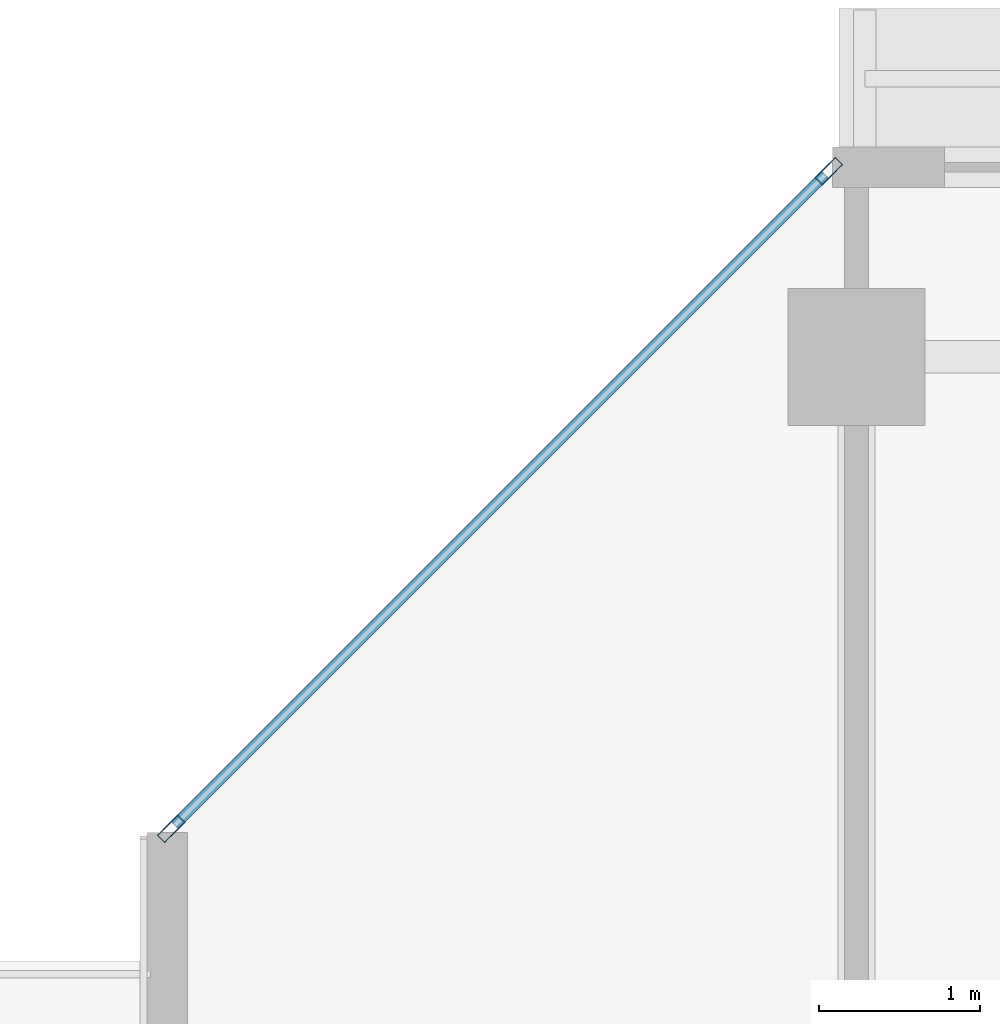
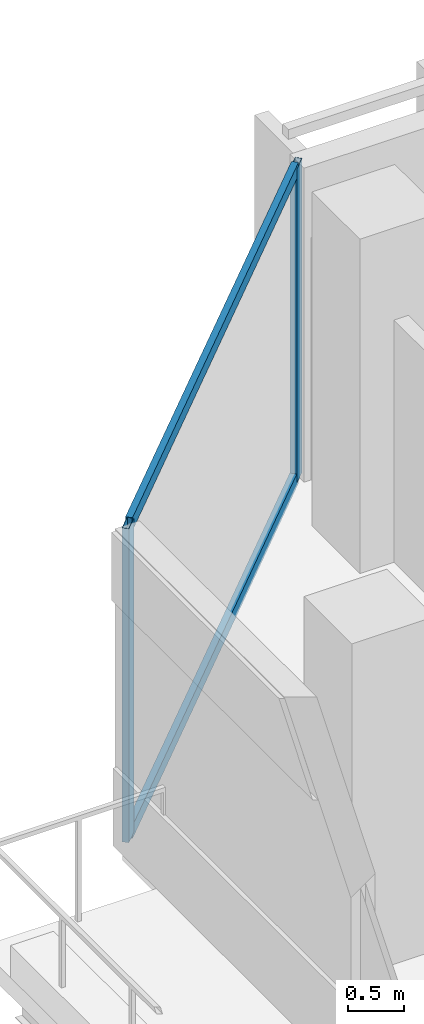
# One storey, part 8 of 30: 4 members, 1 element without a shape of its own.
"""IFC4 building model written with IfcOpenShell, lengths in metres."""

import ifcopenshell
import ifcopenshell.guid

model = None  # the IFC model being written
_history = None  # IfcOwnerHistory: only IFC2X3 demands one
_inside = {}  # id of a spatial element -> (the spatial element, [elements in it])
_under = {}  # id of a project, library or spatial element -> (it, [spatial elements below it])
_declared = {}  # id of a project -> (the project, [libraries it declares])
_typed = {}  # id of a type object -> (the type object, [elements of that type])
_made_of = {}  # id of a material, layer set ... -> (it, [elements and type objects made of it])


def new_model(schema):
    """Start an empty IFC model of exactly this schema.

    Asked for "IFC4X3", IfcOpenShell would pick the latest addendum, in which some entities
    have other attributes; the version numbers below select the first issue.
    IFC2X3 requires an IfcOwnerHistory on every rooted entity: one is made here for all.
    """
    global model, _history
    if schema == "IFC4X3":
        model = ifcopenshell.file(schema_version=(4, 3, 0, 0))
    else:
        model = ifcopenshell.file(schema=schema)
    _inside.clear()
    _under.clear()
    _declared.clear()
    _typed.clear()
    _made_of.clear()
    _history = None
    if model.schema == "IFC2X3":
        org = make("IfcOrganization", Name="unknown")
        user = make(
            "IfcPersonAndOrganization",
            ThePerson=make("IfcPerson", FamilyName="unknown"),
            TheOrganization=org,
        )
        app = make(
            "IfcApplication",
            ApplicationDeveloper=org,
            Version="unknown",
            ApplicationFullName="unknown",
            ApplicationIdentifier="unknown",
        )
        _history = make(
            "IfcOwnerHistory",
            OwningUser=user,
            OwningApplication=app,
            ChangeAction="ADDED",
            CreationDate=0,
        )
    return model


def make(cls, **values):
    """One entity of the class cls with the attributes given. An attribute that is None is left unset."""
    return model.create_entity(
        cls, **{name: value for name, value in values.items() if value is not None}
    )


def rooted(cls, **values):
    """An entity with a GlobalId (a new one), such as an element, a storey or a relation."""
    return make(cls, GlobalId=ifcopenshell.guid.new(), OwnerHistory=_history, **values)


def si_unit(unit_type, name, prefix=None):
    """IfcSIUnit, for example si_unit("LENGTHUNIT", "METRE", prefix="MILLI")."""
    return make("IfcSIUnit", UnitType=unit_type, Prefix=prefix, Name=name)


def assignment(units):
    """IfcUnitAssignment: the units of a project."""
    return None if units is None else make("IfcUnitAssignment", Units=units)


def point(xyz):
    """IfcCartesianPoint."""
    return None if xyz is None else make("IfcCartesianPoint", Coordinates=xyz)


def direction(xyz):
    """IfcDirection."""
    return None if xyz is None else make("IfcDirection", DirectionRatios=xyz)


def frame(location, z_axis=None, x_axis=None):
    """IfcAxis2Placement3D, a coordinate frame: its origin and axes. An axis left out is left unset."""
    return make(
        "IfcAxis2Placement3D",
        Location=point(location),
        Axis=direction(z_axis),
        RefDirection=direction(x_axis),
    )


def frame_2d(location, x_axis=None):
    """IfcAxis2Placement2D, a coordinate frame in the plane: its origin and x axis."""
    return make(
        "IfcAxis2Placement2D", Location=point(location), RefDirection=direction(x_axis)
    )


def origin():
    """The frame at (0, 0, 0) with its axes left unset."""
    return frame((0.0, 0.0, 0.0))


def origin_2d():
    """The frame at (0, 0) in the plane with its x axis left unset."""
    return frame_2d((0.0, 0.0))


def place(relative_to, where):
    """IfcLocalPlacement: puts the frame where relative to a parent placement (None: the world)."""
    return make(
        "IfcLocalPlacement", PlacementRelTo=relative_to, RelativePlacement=where
    )


def context(
    kind, dimensions, precision=None, world=None, true_north=None, identifier=None
):
    """IfcGeometricRepresentationContext, for example the 3D "Model" context."""
    return make(
        "IfcGeometricRepresentationContext",
        ContextIdentifier=identifier,
        ContextType=kind,
        CoordinateSpaceDimension=dimensions,
        Precision=precision,
        WorldCoordinateSystem=world,
        TrueNorth=true_north,
    )


def subcontext(parent, identifier, kind, view, scale=None):
    """IfcGeometricRepresentationSubContext, for example "Body" below "Model"."""
    return make(
        "IfcGeometricRepresentationSubContext",
        ContextIdentifier=identifier,
        ContextType=kind,
        ParentContext=parent,
        TargetScale=scale,
        TargetView=view,
    )


def project(units=None, contexts=None):
    """IfcProject with its units and contexts."""
    return rooted(
        "IfcProject",
        Name="project",
        RepresentationContexts=contexts,
        UnitsInContext=assignment(units),
    )


def spatial(cls, under=None, at=None, **own):
    """A site, building, storey or space (cls), placed at a placement, below another one or the project."""
    s = rooted(cls, ObjectPlacement=at, **own)
    if under is not None:
        _under.setdefault(under.id(), (under, []))[1].append(s)
    return s


def profile(cls, at=None, kind="AREA", **sizes):
    """A parametric profile (cls). Its sizes go by their IFC names, for example OverallWidth=200.0."""
    return make(cls, ProfileType=kind, Position=at, **sizes)


def hollow_rectangle(**sizes):
    """IfcRectangleHollowProfileDef."""
    return profile("IfcRectangleHollowProfileDef", **sizes)


def extrude(swept, where, along, depth):
    """IfcExtrudedAreaSolid: the profile swept, set in the frame where, extruded along a direction by depth."""
    return make(
        "IfcExtrudedAreaSolid",
        SweptArea=swept,
        Position=where,
        ExtrudedDirection=direction(along),
        Depth=depth,
    )


def shape(context_of_items, identifier, shape_type, items):
    """IfcShapeRepresentation: the items that make up one representation, for example the "Body"."""
    return make(
        "IfcShapeRepresentation",
        ContextOfItems=context_of_items,
        RepresentationIdentifier=identifier,
        RepresentationType=shape_type,
        Items=items,
    )


def material(Name=None, Category=None):
    """IfcMaterial."""
    return make("IfcMaterial", Name=Name, Category=Category)


def layer(
    of_material, thickness, ventilated=None, Name=None, Category=None, Priority=None
):
    """IfcMaterialLayer: one layer of a wall or slab, of a material (None: an air gap)."""
    return make(
        "IfcMaterialLayer",
        Material=of_material,
        LayerThickness=thickness,
        IsVentilated=ventilated,
        Name=Name,
        Category=Category,
        Priority=Priority,
    )


def layer_set(layers, Name=None):
    """IfcMaterialLayerSet."""
    return make("IfcMaterialLayerSet", MaterialLayers=layers, LayerSetName=Name)


def material_profile(
    of_material, cross_section, Name=None, Category=None, Priority=None
):
    """IfcMaterialProfile: a cross section and its material."""
    return make(
        "IfcMaterialProfile",
        Name=Name,
        Material=of_material,
        Profile=cross_section,
        Priority=Priority,
        Category=Category,
    )


def profile_set(profiles, Name=None, composite=None):
    """IfcMaterialProfileSet."""
    return make(
        "IfcMaterialProfileSet",
        Name=Name,
        MaterialProfiles=profiles,
        CompositeProfile=composite,
    )


def made_of(thing, what):
    """Note that an element or type object is made of a material, layer set ...; save() writes the relation."""
    if what is not None:
        _made_of.setdefault(what.id(), (what, []))[1].append(thing)
    return thing


def type_object(cls, material=None, **own):
    """A type object (cls), such as IfcWallType, which elements share."""
    return made_of(rooted(cls, **own), material)


def element(
    cls,
    number,
    at=None,
    inside=None,
    cuts=None,
    type_object=None,
    material=None,
    context=None,
    identifier="Body",
    shape_type=None,
    held_by="IfcProductDefinitionShape",
    body=None,
    shapes=None,
    **own,
):
    """One element of the class cls, such as IfcWall. Its Tag is "e" and its number.

    at: its placement. inside: the storey or other place that contains it. cuts: it is an
    opening in that element (IfcRelVoidsElement). A single representation is given by context,
    identifier, shape_type and body (its items); several are given by shapes. held_by: the class
    of the entity that holds the representations. save() writes the other relations.
    """
    e = rooted(cls, Tag="e%d" % number, ObjectPlacement=at, **own)
    if body is not None:
        shapes = [shape(context, identifier, shape_type, body)]
    if shapes is not None:
        e.Representation = make(held_by, Representations=shapes)
    if inside is not None:
        _inside.setdefault(inside.id(), (inside, []))[1].append(e)
    if cuts is not None:
        rooted(
            "IfcRelVoidsElement", RelatingBuildingElement=cuts, RelatedOpeningElement=e
        )
    if type_object is not None:
        _typed.setdefault(type_object.id(), (type_object, []))[1].append(e)
    return made_of(e, material)


def aggregate(whole, parts):
    """IfcRelAggregates: a whole, such as a stair, and the parts it consists of."""
    return rooted("IfcRelAggregates", RelatingObject=whole, RelatedObjects=parts)


def save(model, path):
    """Write the relations noted so far, then the file.

    IfcRelAggregates (storeys below a building ...), IfcRelContainedInSpatialStructure (elements
    in a storey), IfcRelDefinesByType, IfcRelAssociatesMaterial and IfcRelDeclares: one each for
    every whole, place, type object, material and project.
    """
    for whole, parts in _under.values():
        aggregate(whole, parts)
    for where, things in _inside.values():
        rooted(
            "IfcRelContainedInSpatialStructure",
            RelatedElements=things,
            RelatingStructure=where,
        )
    for kind, things in _typed.values():
        rooted("IfcRelDefinesByType", RelatedObjects=things, RelatingType=kind)
    for what, things in _made_of.values():
        rooted("IfcRelAssociatesMaterial", RelatedObjects=things, RelatingMaterial=what)
    for by, libraries in _declared.values():
        rooted("IfcRelDeclares", RelatingContext=by, RelatedDefinitions=libraries)
    model.write(path)


model = new_model("IFC4")

# Units and contexts
model_context = context("Model", 3, precision=1e-05, world=origin(), true_north=direction((0.0, 1.0)))
body_context = subcontext(model_context, "Body", "Model", "MODEL_VIEW")
ifc_project = project(units=[si_unit("LENGTHUNIT", "METRE"), si_unit("AREAUNIT", "SQUARE_METRE"), si_unit("VOLUMEUNIT", "CUBIC_METRE"), si_unit("PLANEANGLEUNIT", "RADIAN"), si_unit("MASSUNIT", "GRAM", prefix="KILO")], contexts=[model_context])

# Site, building, storey
site_placement = place(None, origin())
site = spatial("IfcSite", under=ifc_project, at=site_placement, CompositionType="ELEMENT")
building_placement = place(site_placement, origin())
building = spatial("IfcBuilding", under=site, at=building_placement, Name="Tanjung Sevakor Pilgrim Tower", CompositionType="ELEMENT")
storey_placement = place(building_placement, frame((0.0, 0.0, 165.659912109375)))
storey = spatial("IfcBuildingStorey", under=building, at=storey_placement, Name="L46", CompositionType="ELEMENT", Elevation=165.659912109375)

# Curtain wall, members
ifc_material_1 = material(Name="Aluminium 6063-T6 and Low-E Glass", Category="aluminium")
ifc_layer = layer(ifc_material_1, 0.179931640625)
ifc_layer_set = layer_set([ifc_layer], Name="CW-SYS-CHAM")
curtain_wall_type = type_object("IfcCurtainWallType", Name="CW-SYS-CHAM", PredefinedType="NOTDEFINED", material=ifc_layer_set)
curtain_wall_placement = place(storey_placement, origin())
curtain_wall = element("IfcCurtainWall", 1, at=curtain_wall_placement, inside=storey, type_object=curtain_wall_type, Name="L46 Curtain Wall CW-CHM-L46-MAIN-13", PredefinedType="NOTDEFINED")
ifc_material_2 = material(Name="Aluminium 6063-T6", Category="aluminium")
ifc_material_profile_1 = material_profile(ifc_material_2, hollow_rectangle(XDim=0.06494140625, YDim=0.179931640625, WallThickness=0.00390625, at=origin_2d()))
ifc_profile_set_1 = profile_set([ifc_material_profile_1], Name="Aluminium 6063-T6")
member_type_1 = type_object("IfcMemberType", Name="TYPE-CWM-1", PredefinedType="MULLION", material=ifc_profile_set_1)
member_1_placement = place(storey_placement, frame((23.828857421875, 55.152099609375, 0.0), z_axis=(0.0, 0.0, 1.0), x_axis=(0.707106781187, -0.707106781187, 0.0)))
member_1 = element("IfcMember", 2, at=member_1_placement, type_object=member_type_1, Name="CW-CHM mullion 1", PredefinedType="MULLION", context=body_context, shape_type="SweptSolid", body=[
    extrude(hollow_rectangle(XDim=0.06494140625, YDim=0.179931640625, WallThickness=0.00390625, at=origin_2d()), origin(), (0.0, 0.0, 1.0), 3.41015625),
])
member_2_placement = place(storey_placement, frame((19.748046875, 51.0712890625, 0.0), z_axis=(0.0, 0.0, 1.0), x_axis=(0.707106781187, -0.707106781187, 0.0)))
member_2 = element("IfcMember", 3, at=member_2_placement, type_object=member_type_1, Name="CW-CHM mullion 2", PredefinedType="MULLION", context=body_context, shape_type="SweptSolid", body=[
    extrude(hollow_rectangle(XDim=0.06494140625, YDim=0.179931640625, WallThickness=0.00390625, at=origin_2d()), origin(), (0.0, 0.0, 1.0), 3.41015625),
])
ifc_material_3 = material(Name="Aluminium 6063-T6", Category="aluminium")
ifc_material_profile_2 = material_profile(ifc_material_3, hollow_rectangle(XDim=0.06494140625, YDim=0.139892578125, WallThickness=0.00390625, at=origin_2d()))
ifc_profile_set_2 = profile_set([ifc_material_profile_2], Name="Aluminium 6063-T6")
member_type_2 = type_object("IfcMemberType", Name="TYPE-CWT-1", PredefinedType="USERDEFINED", material=ifc_profile_set_2)
member_3_placement = place(storey_placement, frame((23.805908203125, 55.129150390625, 0.032470703125), z_axis=(-0.707106781187, -0.707106781187, 0.0), x_axis=(0.707106781187, -0.707106781187, 0.0)))
member_3 = element("IfcMember", 4, at=member_3_placement, type_object=member_type_2, Name="CW-CHM transom 1.1", ObjectType="TRANSOM", PredefinedType="USERDEFINED", context=body_context, shape_type="SweptSolid", body=[
    extrude(hollow_rectangle(XDim=0.06494140625, YDim=0.139892578125, WallThickness=0.00390625, at=origin_2d()), origin(), (0.0, 0.0, 1.0), 5.706298828125),
])
member_4_placement = place(storey_placement, frame((23.805908203125, 55.129150390625, 3.377685546875), z_axis=(-0.707106781187, -0.707106781187, 0.0), x_axis=(0.707106781187, -0.707106781187, 0.0)))
member_4 = element("IfcMember", 5, at=member_4_placement, type_object=member_type_2, Name="CW-CHM transom 1.2", ObjectType="TRANSOM", PredefinedType="USERDEFINED", context=body_context, shape_type="SweptSolid", body=[
    extrude(hollow_rectangle(XDim=0.06494140625, YDim=0.139892578125, WallThickness=0.00390625, at=origin_2d()), origin(), (0.0, 0.0, 1.0), 5.706298828125),
])
aggregate(curtain_wall, [member_1, member_2, member_3, member_4])

save(model, "model.ifc")
